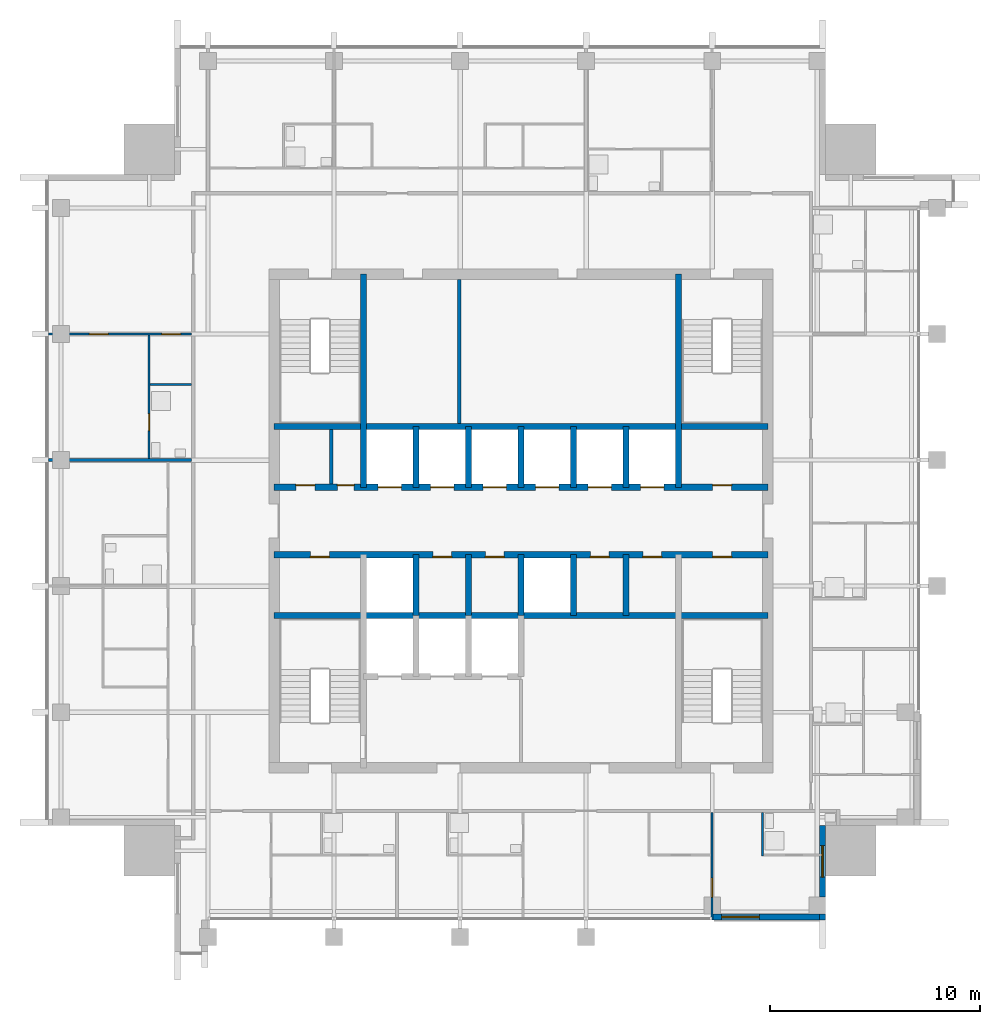
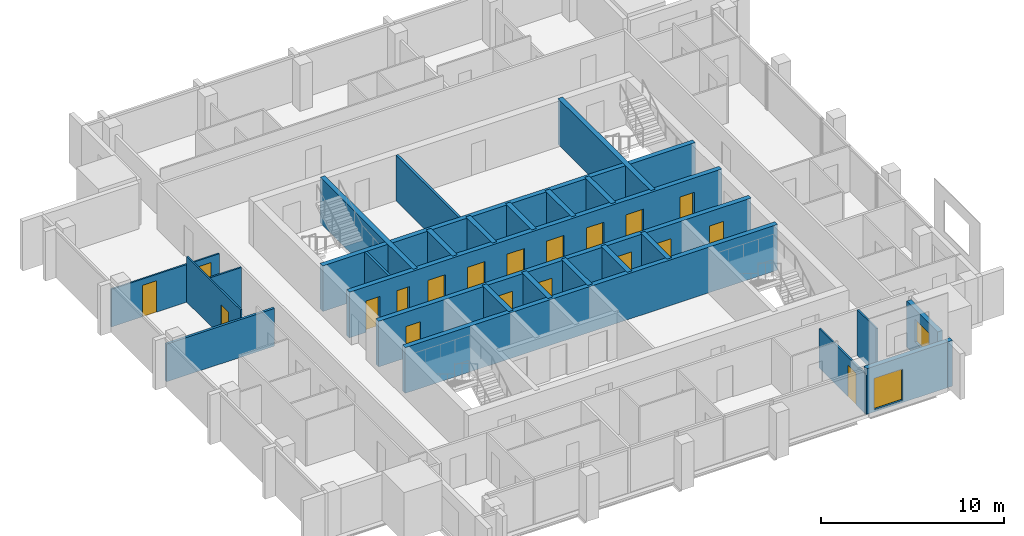
# One storey, part 8 of 13: 27 walls, 19 doors, 2 windows, 21 openings.
"""IFC4 building model written with IfcOpenShell, lengths in metres."""

from ifc_helpers import new_model, si_unit, direction, frame, frame_2d, origin, place, context, subcontext, project, spatial, rectangle, extrude, material, layer, layer_set, type_object, element, fill, save


model = new_model("IFC4")

# Units and contexts
model_context = context("Model", 3, precision=1e-05, world=origin(), true_north=direction((0.0, 1.0)))
body_context = subcontext(model_context, "Body", "Model", "MODEL_VIEW")
ifc_project = project(units=[si_unit("LENGTHUNIT", "METRE"), si_unit("AREAUNIT", "SQUARE_METRE"), si_unit("VOLUMEUNIT", "CUBIC_METRE"), si_unit("PLANEANGLEUNIT", "RADIAN"), si_unit("MASSUNIT", "GRAM", prefix="KILO")], contexts=[model_context])

# Site, building, storey
site_placement = place(None, origin())
site = spatial("IfcSite", under=ifc_project, at=site_placement, CompositionType="ELEMENT")
building_placement = place(site_placement, origin())
building = spatial("IfcBuilding", under=site, at=building_placement, Name="Amberfall Residences", CompositionType="ELEMENT")
storey_placement = place(building_placement, frame((0.0, 0.0, 271.89990234375)))
storey = spatial("IfcBuildingStorey", under=building, at=storey_placement, Name="L73", CompositionType="ELEMENT", Elevation=271.89990234375)

# Wall
ifc_material_1 = material(Name="Pale stone cladding on insulated backing", Category="masonry")
ifc_layer_1 = layer(ifc_material_1, 0.300048828125)
ifc_layer_set_1 = layer_set([ifc_layer_1], Name="Bronze clad wall 300")
wall_type_1 = type_object("IfcWallType", Name="Bronze clad wall 300", PredefinedType="SOLIDWALL", material=ifc_layer_set_1)
wall_1_placement = place(storey_placement, frame((88.85009765625, 26.5, 0.0), z_axis=(0.0, 0.0, 1.0), x_axis=(0.0, 1.0, 0.0)))
element("IfcWall", 1, at=wall_1_placement, inside=storey, type_object=wall_type_1, Name="External wall L73 SE", PredefinedType="SOLIDWALL", context=body_context, shape_type="SweptSolid", body=[
    extrude(rectangle(XDim=0.300048828125, YDim=0.300048828125, at=frame_2d((0.14990234375, 0.0))), origin(), (0.0, 0.0, 1.0), 3.050048828125),
])

# Wall, opening, window
wall_2_placement = place(storey_placement, frame((88.85009765625, 27.60009765625, 0.0), z_axis=(0.0, 0.0, 1.0), x_axis=(0.0, 1.0, 0.0)))
wall_2 = element("IfcWall", 2, at=wall_2_placement, inside=storey, type_object=wall_type_1, Name="External wall L73 SE", PredefinedType="SOLIDWALL", context=body_context, shape_type="SweptSolid", body=[
    extrude(rectangle(XDim=3.39990234375, YDim=0.300048828125, at=frame_2d((1.699951171875, 0.0))), origin(), (0.0, 0.0, 1.0), 3.050048828125),
])
opening_1_placement = place(wall_2_placement, frame((0.949951171875, 0.0, 0.89990234375)))
opening_1 = element("IfcOpeningElement", 3, at=opening_1_placement, cuts=wall_2, Name="Opening WN1", PredefinedType="OPENING", context=body_context, shape_type="SweptSolid", body=[
    extrude(rectangle(XDim=1.5, YDim=1.5, at=frame_2d((0.75, 0.75))), frame((0.0, 0.159912109375, 0.0), z_axis=(0.0, -1.0, 0.0), x_axis=(1.0, 0.0, 0.0)), (0.0, 0.0, 1.0), 0.320068359375),
])
ifc_material_2 = material(Name="Bronze aluminium framed glazing", Category="aluminium")
window_type_1 = type_object("IfcWindowType", Name="Window 1500 x 1500 bronze", PartitioningType="DOUBLE_PANEL_VERTICAL", PredefinedType="WINDOW", material=ifc_material_2)
window_1_placement = place(opening_1_placement, origin())
window_1 = element("IfcWindow", 4, at=window_1_placement, inside=storey, type_object=window_type_1, Name="Window L73 SE", OverallHeight=1.5, OverallWidth=1.5, PartitioningType="DOUBLE_PANEL_VERTICAL", PredefinedType="WINDOW", context=body_context, shape_type="SweptSolid", body=[
    extrude(rectangle(XDim=1.5, YDim=1.5, at=frame_2d((0.75, 0.75))), frame((0.0, 0.030029296875, 0.0), z_axis=(0.0, -1.0, 0.0), x_axis=(1.0, 0.0, 0.0)), (0.0, 0.0, 1.0), 0.06005859375),
])
fill(opening_1, window_1)

wall_3_placement = place(storey_placement, frame((83.60009765625, 26.64990234375, 0.0), z_axis=(0.0, 0.0, 1.0), x_axis=(1.0, 0.0, 0.0)))
wall_3 = element("IfcWall", 5, at=wall_3_placement, inside=storey, type_object=wall_type_1, Name="Stone wall L73 S", PredefinedType="SOLIDWALL", context=body_context, shape_type="SweptSolid", body=[
    extrude(rectangle(XDim=5.099853515625, YDim=0.300048828125, at=frame_2d((2.5498046875, 0.0))), origin(), (0.0, 0.0, 1.0), 3.050048828125),
])
opening_2_placement = place(wall_3_placement, frame((0.449951171875, 0.0, 0.14990234375)))
opening_2 = element("IfcOpeningElement", 6, at=opening_2_placement, cuts=wall_3, Name="Opening WN6", PredefinedType="OPENING", context=body_context, shape_type="SweptSolid", body=[
    extrude(rectangle(XDim=1.800048828125, YDim=2.10009765625, at=frame_2d((0.89990234375, 1.050048828125))), frame((0.0, 0.159912109375, 0.0), z_axis=(0.0, -1.0, 0.0), x_axis=(1.0, 0.0, 0.0)), (0.0, 0.0, 1.0), 0.320068359375),
])
window_type_2 = type_object("IfcWindowType", Name="Glazed opening 1800 x 2100 bronze", PartitioningType="DOUBLE_PANEL_VERTICAL", PredefinedType="WINDOW", material=ifc_material_2)
window_2_placement = place(opening_2_placement, origin())
window_2 = element("IfcWindow", 7, at=window_2_placement, inside=storey, type_object=window_type_2, Name="Window L73 S", OverallHeight=2.10009765625, OverallWidth=1.800048828125, PartitioningType="DOUBLE_PANEL_VERTICAL", PredefinedType="WINDOW", context=body_context, shape_type="SweptSolid", body=[
    extrude(rectangle(XDim=1.800048828125, YDim=2.10009765625, at=frame_2d((0.89990234375, 1.050048828125))), frame((0.0, 0.030029296875, 0.0), z_axis=(0.0, -1.0, 0.0), x_axis=(1.0, 0.0, 0.0)), (0.0, 0.0, 1.0), 0.06005859375),
])
fill(opening_2, window_2)

# Wall
ifc_material_3 = material(Name="Concrete C50", Category="concrete")
ifc_layer_2 = layer(ifc_material_3, 0.300048828125)
ifc_layer_set_2 = layer_set([ifc_layer_2], Name="Core wall 300 C50")
wall_type_2 = type_object("IfcWallType", Name="Core wall 300 C50", PredefinedType="SHEAR", material=ifc_layer_set_2)
wall_4_placement = place(storey_placement, frame((62.75, 41.0, 0.0), z_axis=(0.0, 0.0, 1.0), x_axis=(1.0, 0.0, 0.0)))
element("IfcWall", 8, at=wall_4_placement, inside=storey, type_object=wall_type_2, Name="Core wall RW10 L73 H75", PredefinedType="SHEAR", context=body_context, shape_type="SweptSolid", body=[
    extrude(rectangle(XDim=23.5, YDim=0.300048828125, at=frame_2d((11.75, 0.0))), origin(), (0.0, 0.0, 1.0), 3.050048828125),
])

# Wall, openings, doors
wall_5_placement = place(storey_placement, frame((62.75, 43.89990234375, 0.0), z_axis=(0.0, 0.0, 1.0), x_axis=(1.0, 0.0, 0.0)))
wall_5 = element("IfcWall", 9, at=wall_5_placement, inside=storey, type_object=wall_type_2, Name="Core wall RW10 L73 H104", PredefinedType="SHEAR", context=body_context, shape_type="SweptSolid", body=[
    extrude(rectangle(XDim=23.5, YDim=0.300048828125, at=frame_2d((11.75, 0.0))), origin(), (0.0, 0.0, 1.0), 3.050048828125),
])
opening_3_placement = place(wall_5_placement, frame((1.72509765625, 0.0, 0.0)))
opening_3 = element("IfcOpeningElement", 10, at=opening_3_placement, cuts=wall_5, Name="Opening RD1", PredefinedType="OPENING", context=body_context, shape_type="SweptSolid", body=[
    extrude(rectangle(XDim=0.89990234375, YDim=2.10009765625, at=frame_2d((0.449951171875, 1.050048828125))), frame((0.0, 0.159912109375, 0.0), z_axis=(0.0, -1.0, 0.0), x_axis=(1.0, 0.0, 0.0)), (0.0, 0.0, 1.0), 0.320068359375),
])
opening_4_placement = place(wall_5_placement, frame((20.875, 0.0, 0.0)))
opening_4 = element("IfcOpeningElement", 11, at=opening_4_placement, cuts=wall_5, Name="Opening RD1", PredefinedType="OPENING", context=body_context, shape_type="SweptSolid", body=[
    extrude(rectangle(XDim=0.89990234375, YDim=2.10009765625, at=frame_2d((0.449951171875, 1.050048828125))), frame((0.0, 0.159912109375, 0.0), z_axis=(0.0, -1.0, 0.0), x_axis=(1.0, 0.0, 0.0)), (0.0, 0.0, 1.0), 0.320068359375),
])
opening_5_placement = place(wall_5_placement, frame((7.550048828125, 0.0, 0.0)))
opening_5 = element("IfcOpeningElement", 12, at=opening_5_placement, cuts=wall_5, Name="Opening RD1", PredefinedType="OPENING", context=body_context, shape_type="SweptSolid", body=[
    extrude(rectangle(XDim=0.89990234375, YDim=2.10009765625, at=frame_2d((0.449951171875, 1.050048828125))), frame((0.0, 0.159912109375, 0.0), z_axis=(0.0, -1.0, 0.0), x_axis=(1.0, 0.0, 0.0)), (0.0, 0.0, 1.0), 0.320068359375),
])
opening_6_placement = place(wall_5_placement, frame((10.050048828125, 0.0, 0.0)))
opening_6 = element("IfcOpeningElement", 13, at=opening_6_placement, cuts=wall_5, Name="Opening RD1", PredefinedType="OPENING", context=body_context, shape_type="SweptSolid", body=[
    extrude(rectangle(XDim=0.89990234375, YDim=2.10009765625, at=frame_2d((0.449951171875, 1.050048828125))), frame((0.0, 0.159912109375, 0.0), z_axis=(0.0, -1.0, 0.0), x_axis=(1.0, 0.0, 0.0)), (0.0, 0.0, 1.0), 0.320068359375),
])
opening_7_placement = place(wall_5_placement, frame((15.050048828125, 0.0, 0.0)))
opening_7 = element("IfcOpeningElement", 14, at=opening_7_placement, cuts=wall_5, Name="Opening RD1", PredefinedType="OPENING", context=body_context, shape_type="SweptSolid", body=[
    extrude(rectangle(XDim=0.89990234375, YDim=2.10009765625, at=frame_2d((0.449951171875, 1.050048828125))), frame((0.0, 0.159912109375, 0.0), z_axis=(0.0, -1.0, 0.0), x_axis=(1.0, 0.0, 0.0)), (0.0, 0.0, 1.0), 0.320068359375),
])
opening_8_placement = place(wall_5_placement, frame((17.550048828125, 0.0, 0.0)))
opening_8 = element("IfcOpeningElement", 15, at=opening_8_placement, cuts=wall_5, Name="Opening RD1", PredefinedType="OPENING", context=body_context, shape_type="SweptSolid", body=[
    extrude(rectangle(XDim=0.89990234375, YDim=2.10009765625, at=frame_2d((0.449951171875, 1.050048828125))), frame((0.0, 0.159912109375, 0.0), z_axis=(0.0, -1.0, 0.0), x_axis=(1.0, 0.0, 0.0)), (0.0, 0.0, 1.0), 0.320068359375),
])
ifc_material_4 = material(Name="Steel fire door set", Category="steel")
door_type_1 = type_object("IfcDoorType", Name="Service room door 900 x 2100", OperationType="SINGLE_SWING_LEFT", PredefinedType="DOOR", material=ifc_material_4)
door_1_placement = place(opening_3_placement, origin())
door_1 = element("IfcDoor", 16, at=door_1_placement, inside=storey, type_object=door_type_1, Name="RD1 L73", OperationType="SINGLE_SWING_LEFT", OverallHeight=2.10009765625, OverallWidth=0.89990234375, PredefinedType="DOOR", context=body_context, shape_type="SweptSolid", body=[
    extrude(rectangle(XDim=0.89990234375, YDim=2.10009765625, at=frame_2d((0.449951171875, 1.050048828125))), frame((0.0, -0.08740234375, 0.0), z_axis=(0.0, -1.0, 0.0), x_axis=(1.0, 0.0, 0.0)), (0.0, 0.0, 1.0), 0.050048828125),
])
fill(opening_3, door_1)
door_2_placement = place(opening_4_placement, origin())
door_2 = element("IfcDoor", 17, at=door_2_placement, inside=storey, type_object=door_type_1, Name="RD1 L73", OperationType="SINGLE_SWING_LEFT", OverallHeight=2.10009765625, OverallWidth=0.89990234375, PredefinedType="DOOR", context=body_context, shape_type="SweptSolid", body=[
    extrude(rectangle(XDim=0.89990234375, YDim=2.10009765625, at=frame_2d((0.449951171875, 1.050048828125))), frame((0.0, -0.08740234375, 0.0), z_axis=(0.0, -1.0, 0.0), x_axis=(1.0, 0.0, 0.0)), (0.0, 0.0, 1.0), 0.050048828125),
])
fill(opening_4, door_2)
door_3_placement = place(opening_5_placement, origin())
door_3 = element("IfcDoor", 18, at=door_3_placement, inside=storey, type_object=door_type_1, Name="RD1 L73", OperationType="SINGLE_SWING_LEFT", OverallHeight=2.10009765625, OverallWidth=0.89990234375, PredefinedType="DOOR", context=body_context, shape_type="SweptSolid", body=[
    extrude(rectangle(XDim=0.89990234375, YDim=2.10009765625, at=frame_2d((0.449951171875, 1.050048828125))), frame((0.0, -0.08740234375, 0.0), z_axis=(0.0, -1.0, 0.0), x_axis=(1.0, 0.0, 0.0)), (0.0, 0.0, 1.0), 0.050048828125),
])
fill(opening_5, door_3)
door_4_placement = place(opening_6_placement, origin())
door_4 = element("IfcDoor", 19, at=door_4_placement, inside=storey, type_object=door_type_1, Name="RD1 L73", OperationType="SINGLE_SWING_RIGHT", OverallHeight=2.10009765625, OverallWidth=0.89990234375, PredefinedType="DOOR", context=body_context, shape_type="SweptSolid", body=[
    extrude(rectangle(XDim=0.89990234375, YDim=2.10009765625, at=frame_2d((0.449951171875, 1.050048828125))), frame((0.0, -0.08740234375, 0.0), z_axis=(0.0, -1.0, 0.0), x_axis=(1.0, 0.0, 0.0)), (0.0, 0.0, 1.0), 0.050048828125),
])
fill(opening_6, door_4)
door_5_placement = place(opening_7_placement, origin())
door_5 = element("IfcDoor", 20, at=door_5_placement, inside=storey, type_object=door_type_1, Name="RD1 L73", OperationType="SINGLE_SWING_RIGHT", OverallHeight=2.10009765625, OverallWidth=0.89990234375, PredefinedType="DOOR", context=body_context, shape_type="SweptSolid", body=[
    extrude(rectangle(XDim=0.89990234375, YDim=2.10009765625, at=frame_2d((0.449951171875, 1.050048828125))), frame((0.0, -0.08740234375, 0.0), z_axis=(0.0, -1.0, 0.0), x_axis=(1.0, 0.0, 0.0)), (0.0, 0.0, 1.0), 0.050048828125),
])
fill(opening_7, door_5)
door_6_placement = place(opening_8_placement, origin())
door_6 = element("IfcDoor", 21, at=door_6_placement, inside=storey, type_object=door_type_1, Name="RD1 L73", OperationType="SINGLE_SWING_LEFT", OverallHeight=2.10009765625, OverallWidth=0.89990234375, PredefinedType="DOOR", context=body_context, shape_type="SweptSolid", body=[
    extrude(rectangle(XDim=0.89990234375, YDim=2.10009765625, at=frame_2d((0.449951171875, 1.050048828125))), frame((0.0, -0.08740234375, 0.0), z_axis=(0.0, -1.0, 0.0), x_axis=(1.0, 0.0, 0.0)), (0.0, 0.0, 1.0), 0.050048828125),
])
fill(opening_8, door_6)

wall_6_placement = place(storey_placement, frame((62.75, 47.10009765625, 0.0), z_axis=(0.0, 0.0, 1.0), x_axis=(1.0, 0.0, 0.0)))
wall_6 = element("IfcWall", 22, at=wall_6_placement, inside=storey, type_object=wall_type_2, Name="Core wall RW10 L73 H136", PredefinedType="SHEAR", context=body_context, shape_type="SweptSolid", body=[
    extrude(rectangle(XDim=23.5, YDim=0.300048828125, at=frame_2d((11.75, 0.0))), origin(), (0.0, 0.0, 1.0), 3.050048828125),
])
opening_9_placement = place(wall_6_placement, frame((1.031982421875, 0.0, 0.0)))
opening_9 = element("IfcOpeningElement", 23, at=opening_9_placement, cuts=wall_6, Name="Opening RD1", PredefinedType="OPENING", context=body_context, shape_type="SweptSolid", body=[
    extrude(rectangle(XDim=0.89990234375, YDim=2.10009765625, at=frame_2d((0.449951171875, 1.050048828125))), frame((0.0, 0.159912109375, 0.0), z_axis=(0.0, -1.0, 0.0), x_axis=(1.0, 0.0, 0.0)), (0.0, 0.0, 1.0), 0.320068359375),
])
opening_10_placement = place(wall_6_placement, frame((3.007080078125, 0.0, 0.0)))
opening_10 = element("IfcOpeningElement", 24, at=opening_10_placement, cuts=wall_6, Name="Opening RD2", PredefinedType="OPENING", context=body_context, shape_type="SweptSolid", body=[
    extrude(rectangle(XDim=0.800048828125, YDim=2.10009765625, at=frame_2d((0.39990234375, 1.050048828125))), frame((0.0, 0.159912109375, 0.0), z_axis=(0.0, -1.0, 0.0), x_axis=(1.0, 0.0, 0.0)), (0.0, 0.0, 1.0), 0.320068359375),
])
opening_11_placement = place(wall_6_placement, frame((20.875, 0.0, 0.0)))
opening_11 = element("IfcOpeningElement", 25, at=opening_11_placement, cuts=wall_6, Name="Opening RD1", PredefinedType="OPENING", context=body_context, shape_type="SweptSolid", body=[
    extrude(rectangle(XDim=0.89990234375, YDim=2.10009765625, at=frame_2d((0.449951171875, 1.050048828125))), frame((0.0, 0.159912109375, 0.0), z_axis=(0.0, -1.0, 0.0), x_axis=(1.0, 0.0, 0.0)), (0.0, 0.0, 1.0), 0.320068359375),
])
opening_12_placement = place(wall_6_placement, frame((4.949951171875, 0.0, 0.0)))
opening_12 = element("IfcOpeningElement", 26, at=opening_12_placement, cuts=wall_6, Name="Opening LD1", PredefinedType="OPENING", context=body_context, shape_type="SweptSolid", body=[
    extrude(rectangle(XDim=1.10009765625, YDim=2.10009765625, at=frame_2d((0.550048828125, 1.050048828125))), frame((0.0, 0.159912109375, 0.0), z_axis=(0.0, -1.0, 0.0), x_axis=(1.0, 0.0, 0.0)), (0.0, 0.0, 1.0), 0.320068359375),
])
opening_13_placement = place(wall_6_placement, frame((7.449951171875, 0.0, 0.0)))
opening_13 = element("IfcOpeningElement", 27, at=opening_13_placement, cuts=wall_6, Name="Opening LD1", PredefinedType="OPENING", context=body_context, shape_type="SweptSolid", body=[
    extrude(rectangle(XDim=1.10009765625, YDim=2.10009765625, at=frame_2d((0.550048828125, 1.050048828125))), frame((0.0, 0.159912109375, 0.0), z_axis=(0.0, -1.0, 0.0), x_axis=(1.0, 0.0, 0.0)), (0.0, 0.0, 1.0), 0.320068359375),
])
opening_14_placement = place(wall_6_placement, frame((9.949951171875, 0.0, 0.0)))
opening_14 = element("IfcOpeningElement", 28, at=opening_14_placement, cuts=wall_6, Name="Opening LD1", PredefinedType="OPENING", context=body_context, shape_type="SweptSolid", body=[
    extrude(rectangle(XDim=1.10009765625, YDim=2.10009765625, at=frame_2d((0.550048828125, 1.050048828125))), frame((0.0, 0.159912109375, 0.0), z_axis=(0.0, -1.0, 0.0), x_axis=(1.0, 0.0, 0.0)), (0.0, 0.0, 1.0), 0.320068359375),
])
opening_15_placement = place(wall_6_placement, frame((12.449951171875, 0.0, 0.0)))
opening_15 = element("IfcOpeningElement", 29, at=opening_15_placement, cuts=wall_6, Name="Opening LD1", PredefinedType="OPENING", context=body_context, shape_type="SweptSolid", body=[
    extrude(rectangle(XDim=1.10009765625, YDim=2.10009765625, at=frame_2d((0.550048828125, 1.050048828125))), frame((0.0, 0.159912109375, 0.0), z_axis=(0.0, -1.0, 0.0), x_axis=(1.0, 0.0, 0.0)), (0.0, 0.0, 1.0), 0.320068359375),
])
opening_16_placement = place(wall_6_placement, frame((14.949951171875, 0.0, 0.0)))
opening_16 = element("IfcOpeningElement", 30, at=opening_16_placement, cuts=wall_6, Name="Opening LD1", PredefinedType="OPENING", context=body_context, shape_type="SweptSolid", body=[
    extrude(rectangle(XDim=1.10009765625, YDim=2.10009765625, at=frame_2d((0.550048828125, 1.050048828125))), frame((0.0, 0.159912109375, 0.0), z_axis=(0.0, -1.0, 0.0), x_axis=(1.0, 0.0, 0.0)), (0.0, 0.0, 1.0), 0.320068359375),
])
opening_17_placement = place(wall_6_placement, frame((17.449951171875, 0.0, 0.0)))
opening_17 = element("IfcOpeningElement", 31, at=opening_17_placement, cuts=wall_6, Name="Opening LD1", PredefinedType="OPENING", context=body_context, shape_type="SweptSolid", body=[
    extrude(rectangle(XDim=1.10009765625, YDim=2.10009765625, at=frame_2d((0.550048828125, 1.050048828125))), frame((0.0, 0.159912109375, 0.0), z_axis=(0.0, -1.0, 0.0), x_axis=(1.0, 0.0, 0.0)), (0.0, 0.0, 1.0), 0.320068359375),
])
door_type_2 = type_object("IfcDoorType", Name="Lift landing door 1100 x 2100", OperationType="DOUBLE_DOOR_SLIDING", PredefinedType="DOOR", material=ifc_material_4)
door_7_placement = place(opening_12_placement, origin())
door_7 = element("IfcDoor", 32, at=door_7_placement, inside=storey, type_object=door_type_2, Name="Landing door HP1 L73", OperationType="DOUBLE_DOOR_SLIDING", OverallHeight=2.10009765625, OverallWidth=1.10009765625, PredefinedType="DOOR", context=body_context, shape_type="SweptSolid", body=[
    extrude(rectangle(XDim=1.10009765625, YDim=2.10009765625, at=frame_2d((0.550048828125, 1.050048828125))), frame((0.0, 0.02490234375, 0.0), z_axis=(0.0, -1.0, 0.0), x_axis=(1.0, 0.0, 0.0)), (0.0, 0.0, 1.0), 0.050048828125),
])
fill(opening_12, door_7)
door_8_placement = place(opening_13_placement, origin())
door_8 = element("IfcDoor", 33, at=door_8_placement, inside=storey, type_object=door_type_2, Name="Landing door HP2 L73", OperationType="DOUBLE_DOOR_SLIDING", OverallHeight=2.10009765625, OverallWidth=1.10009765625, PredefinedType="DOOR", context=body_context, shape_type="SweptSolid", body=[
    extrude(rectangle(XDim=1.10009765625, YDim=2.10009765625, at=frame_2d((0.550048828125, 1.050048828125))), frame((0.0, 0.02490234375, 0.0), z_axis=(0.0, -1.0, 0.0), x_axis=(1.0, 0.0, 0.0)), (0.0, 0.0, 1.0), 0.050048828125),
])
fill(opening_13, door_8)
door_9_placement = place(opening_14_placement, origin())
door_9 = element("IfcDoor", 34, at=door_9_placement, inside=storey, type_object=door_type_2, Name="Landing door HP3 L73", OperationType="DOUBLE_DOOR_SLIDING", OverallHeight=2.10009765625, OverallWidth=1.10009765625, PredefinedType="DOOR", context=body_context, shape_type="SweptSolid", body=[
    extrude(rectangle(XDim=1.10009765625, YDim=2.10009765625, at=frame_2d((0.550048828125, 1.050048828125))), frame((0.0, 0.02490234375, 0.0), z_axis=(0.0, -1.0, 0.0), x_axis=(1.0, 0.0, 0.0)), (0.0, 0.0, 1.0), 0.050048828125),
])
fill(opening_14, door_9)
door_10_placement = place(opening_15_placement, origin())
door_10 = element("IfcDoor", 35, at=door_10_placement, inside=storey, type_object=door_type_2, Name="Landing door HP4 L73", OperationType="DOUBLE_DOOR_SLIDING", OverallHeight=2.10009765625, OverallWidth=1.10009765625, PredefinedType="DOOR", context=body_context, shape_type="SweptSolid", body=[
    extrude(rectangle(XDim=1.10009765625, YDim=2.10009765625, at=frame_2d((0.550048828125, 1.050048828125))), frame((0.0, 0.02490234375, 0.0), z_axis=(0.0, -1.0, 0.0), x_axis=(1.0, 0.0, 0.0)), (0.0, 0.0, 1.0), 0.050048828125),
])
fill(opening_15, door_10)
door_11_placement = place(opening_16_placement, origin())
door_11 = element("IfcDoor", 36, at=door_11_placement, inside=storey, type_object=door_type_2, Name="Landing door HP5 L73", OperationType="DOUBLE_DOOR_SLIDING", OverallHeight=2.10009765625, OverallWidth=1.10009765625, PredefinedType="DOOR", context=body_context, shape_type="SweptSolid", body=[
    extrude(rectangle(XDim=1.10009765625, YDim=2.10009765625, at=frame_2d((0.550048828125, 1.050048828125))), frame((0.0, 0.02490234375, 0.0), z_axis=(0.0, -1.0, 0.0), x_axis=(1.0, 0.0, 0.0)), (0.0, 0.0, 1.0), 0.050048828125),
])
fill(opening_16, door_11)
door_12_placement = place(opening_17_placement, origin())
door_12 = element("IfcDoor", 37, at=door_12_placement, inside=storey, type_object=door_type_2, Name="Landing door HP6 L73", OperationType="DOUBLE_DOOR_SLIDING", OverallHeight=2.10009765625, OverallWidth=1.10009765625, PredefinedType="DOOR", context=body_context, shape_type="SweptSolid", body=[
    extrude(rectangle(XDim=1.10009765625, YDim=2.10009765625, at=frame_2d((0.550048828125, 1.050048828125))), frame((0.0, 0.02490234375, 0.0), z_axis=(0.0, -1.0, 0.0), x_axis=(1.0, 0.0, 0.0)), (0.0, 0.0, 1.0), 0.050048828125),
])
fill(opening_17, door_12)
door_type_3 = type_object("IfcDoorType", Name="Service room door 800 x 2100", OperationType="SINGLE_SWING_LEFT", PredefinedType="DOOR", material=ifc_material_4)
door_13_placement = place(opening_10_placement, origin())
door_13 = element("IfcDoor", 38, at=door_13_placement, inside=storey, type_object=door_type_3, Name="RD2 L73", OperationType="SINGLE_SWING_RIGHT", OverallHeight=2.10009765625, OverallWidth=0.800048828125, PredefinedType="DOOR", context=body_context, shape_type="SweptSolid", body=[
    extrude(rectangle(XDim=0.800048828125, YDim=2.10009765625, at=frame_2d((0.39990234375, 1.050048828125))), frame((0.0, 0.1376953125, 0.0), z_axis=(0.0, -1.0, 0.0), x_axis=(1.0, 0.0, 0.0)), (0.0, 0.0, 1.0), 0.050048828125),
])
fill(opening_10, door_13)
door_14_placement = place(opening_9_placement, origin())
door_14 = element("IfcDoor", 39, at=door_14_placement, inside=storey, type_object=door_type_1, Name="RD1 L73", OperationType="SINGLE_SWING_LEFT", OverallHeight=2.10009765625, OverallWidth=0.89990234375, PredefinedType="DOOR", context=body_context, shape_type="SweptSolid", body=[
    extrude(rectangle(XDim=0.89990234375, YDim=2.10009765625, at=frame_2d((0.449951171875, 1.050048828125))), frame((0.0, 0.1376953125, 0.0), z_axis=(0.0, -1.0, 0.0), x_axis=(1.0, 0.0, 0.0)), (0.0, 0.0, 1.0), 0.050048828125),
])
fill(opening_9, door_14)
door_15_placement = place(opening_11_placement, origin())
door_15 = element("IfcDoor", 40, at=door_15_placement, inside=storey, type_object=door_type_1, Name="RD1 L73", OperationType="SINGLE_SWING_LEFT", OverallHeight=2.10009765625, OverallWidth=0.89990234375, PredefinedType="DOOR", context=body_context, shape_type="SweptSolid", body=[
    extrude(rectangle(XDim=0.89990234375, YDim=2.10009765625, at=frame_2d((0.449951171875, 1.050048828125))), frame((0.0, 0.1376953125, 0.0), z_axis=(0.0, -1.0, 0.0), x_axis=(1.0, 0.0, 0.0)), (0.0, 0.0, 1.0), 0.050048828125),
])
fill(opening_11, door_15)

# Walls
wall_7_placement = place(storey_placement, frame((62.75, 50.0, 0.0), z_axis=(0.0, 0.0, 1.0), x_axis=(1.0, 0.0, 0.0)))
element("IfcWall", 41, at=wall_7_placement, inside=storey, type_object=wall_type_2, Name="Core wall RW10 L73 H165", PredefinedType="SHEAR", context=body_context, shape_type="SweptSolid", body=[
    extrude(rectangle(XDim=23.5, YDim=0.300048828125, at=frame_2d((11.75, 0.0))), origin(), (0.0, 0.0, 1.0), 3.050048828125),
])
for number, where, z_axis, x_axis, name in (
    (42, (67.0, 47.10009765625, 0.0), (0.0, 0.0, 1.0), (0.0, 1.0, 0.0), "Core wall RW10 L73 V45N"),
    (43, (82.0, 47.10009765625, 0.0), (0.0, 0.0, 1.0), (0.0, 1.0, 0.0), "Core wall RW10 L73 V195N"),
):
    element("IfcWall", number, at=place(storey_placement, frame(where, z_axis=z_axis, x_axis=x_axis)), inside=storey, type_object=wall_type_2, Name=name, PredefinedType="SHEAR", context=body_context, shape_type="SweptSolid", body=[
        extrude(rectangle(XDim=10.14990234375, YDim=0.300048828125, at=frame_2d((5.074951171875, 0.0))), origin(), (0.0, 0.0, 1.0), 3.050048828125),
    ])
for number, where, z_axis, x_axis, name in (
    (44, (69.5, 41.0, 0.0), (0.0, 0.0, 1.0), (0.0, 1.0, 0.0), "Core wall RW10 L73 LPD1"),
    (45, (69.5, 47.10009765625, 0.0), (0.0, 0.0, 1.0), (0.0, 1.0, 0.0), "Core wall RW10 L73 HPD1"),
    (46, (72.0, 41.0, 0.0), (0.0, 0.0, 1.0), (0.0, 1.0, 0.0), "Core wall RW10 L73 LPD2"),
    (47, (72.0, 47.10009765625, 0.0), (0.0, 0.0, 1.0), (0.0, 1.0, 0.0), "Core wall RW10 L73 HPD2"),
    (48, (74.5, 41.0, 0.0), (0.0, 0.0, 1.0), (0.0, 1.0, 0.0), "Core wall RW10 L73 LPD3"),
    (49, (74.5, 47.10009765625, 0.0), (0.0, 0.0, 1.0), (0.0, 1.0, 0.0), "Core wall RW10 L73 HPD3"),
    (50, (77.0, 41.0, 0.0), (0.0, 0.0, 1.0), (0.0, 1.0, 0.0), "Core wall RW10 L73 LPD4"),
    (51, (77.0, 47.10009765625, 0.0), (0.0, 0.0, 1.0), (0.0, 1.0, 0.0), "Core wall RW10 L73 HPD4"),
    (52, (79.5, 41.0, 0.0), (0.0, 0.0, 1.0), (0.0, 1.0, 0.0), "Core wall RW10 L73 LPD5"),
    (53, (79.5, 47.10009765625, 0.0), (0.0, 0.0, 1.0), (0.0, 1.0, 0.0), "Core wall RW10 L73 HPD5"),
):
    element("IfcWall", number, at=place(storey_placement, frame(where, z_axis=z_axis, x_axis=x_axis)), inside=storey, type_object=wall_type_2, Name=name, PredefinedType="SHEAR", context=body_context, shape_type="SweptSolid", body=[
        extrude(rectangle(XDim=2.89990234375, YDim=0.300048828125, at=frame_2d((1.449951171875, 0.0))), origin(), (0.0, 0.0, 1.0), 3.050048828125),
    ])

# Wall, opening, door
ifc_material_5 = material(Name="Gypsum board on metal stud")
ifc_layer_3 = layer(ifc_material_5, 0.10009765625)
ifc_layer_set_3 = layer_set([ifc_layer_3], Name="Flat partition 100")
wall_type_3 = type_object("IfcWallType", Name="Flat partition 100", PredefinedType="PARTITIONING", material=ifc_layer_set_3)
wall_8_placement = place(storey_placement, frame((56.800048828125, 54.35009765625, 0.0), z_axis=(0.0, 0.0, 1.0), x_axis=(0.0, -1.0, 0.0)))
wall_8 = element("IfcWall", 54, at=wall_8_placement, inside=storey, type_object=wall_type_3, Name="Partition 002", PredefinedType="PARTITIONING", context=body_context, shape_type="SweptSolid", body=[
    extrude(rectangle(XDim=5.875, YDim=0.10009765625, at=frame_2d((2.9375, 0.0))), origin(), (0.0, 0.0, 1.0), 3.050048828125),
])
opening_18_placement = place(wall_8_placement, frame((3.75, 0.0, 0.0)))
opening_18 = element("IfcOpeningElement", 55, at=opening_18_placement, cuts=wall_8, Name="Opening D42", PredefinedType="OPENING", context=body_context, shape_type="SweptSolid", body=[
    extrude(rectangle(XDim=0.800048828125, YDim=2.10009765625, at=frame_2d((0.39990234375, 1.050048828125))), frame((0.0, 0.06005859375, 0.0), z_axis=(0.0, -1.0, 0.0), x_axis=(1.0, 0.0, 0.0)), (0.0, 0.0, 1.0), 0.1201171875),
])
ifc_material_6 = material(Name="Timber", Category="wood")
door_type_4 = type_object("IfcDoorType", Name="Bathroom door 800 x 2100", OperationType="SINGLE_SWING_LEFT", PredefinedType="DOOR", material=ifc_material_6)
door_16_placement = place(opening_18_placement, origin())
door_16 = element("IfcDoor", 56, at=door_16_placement, inside=storey, type_object=door_type_4, Name="Door 7308 bath1", OperationType="SINGLE_SWING_LEFT", OverallHeight=2.10009765625, OverallWidth=0.800048828125, PredefinedType="DOOR", context=body_context, shape_type="SweptSolid", body=[
    extrude(rectangle(XDim=0.800048828125, YDim=2.10009765625, at=frame_2d((0.39990234375, 1.050048828125))), frame((0.0, 0.02490234375, 0.0), z_axis=(0.0, -1.0, 0.0), x_axis=(1.0, 0.0, 0.0)), (0.0, 0.0, 1.0), 0.050048828125),
])
fill(opening_18, door_16)

wall_9_placement = place(storey_placement, frame((83.60009765625, 31.625, 0.0), z_axis=(0.0, 0.0, 1.0), x_axis=(0.0, -1.0, 0.0)))
wall_9 = element("IfcWall", 57, at=wall_9_placement, inside=storey, type_object=wall_type_3, Name="Partition 015", PredefinedType="PARTITIONING", context=body_context, shape_type="SweptSolid", body=[
    extrude(rectangle(XDim=5.125, YDim=0.10009765625, at=frame_2d((2.5625, 0.0))), origin(), (0.0, 0.0, 1.0), 2.647216796875),
])
opening_19_placement = place(wall_9_placement, frame((3.125, 0.0, 0.0)))
opening_19 = element("IfcOpeningElement", 58, at=opening_19_placement, cuts=wall_9, Name="Opening D41", PredefinedType="OPENING", context=body_context, shape_type="SweptSolid", body=[
    extrude(rectangle(XDim=0.89990234375, YDim=2.10009765625, at=frame_2d((0.449951171875, 1.050048828125))), frame((0.0, 0.06005859375, 0.0), z_axis=(0.0, -1.0, 0.0), x_axis=(1.0, 0.0, 0.0)), (0.0, 0.0, 1.0), 0.1201171875),
])
door_type_5 = type_object("IfcDoorType", Name="Internal door 900 x 2100", OperationType="SINGLE_SWING_LEFT", PredefinedType="DOOR", material=ifc_material_6)
door_17_placement = place(opening_19_placement, origin())
door_17 = element("IfcDoor", 59, at=door_17_placement, inside=storey, type_object=door_type_5, Name="Door 7302 bedroom2", OperationType="SINGLE_SWING_LEFT", OverallHeight=2.10009765625, OverallWidth=0.89990234375, PredefinedType="DOOR", context=body_context, shape_type="SweptSolid", body=[
    extrude(rectangle(XDim=0.89990234375, YDim=2.10009765625, at=frame_2d((0.449951171875, 1.050048828125))), frame((0.0, 0.02490234375, 0.0), z_axis=(0.0, -1.0, 0.0), x_axis=(1.0, 0.0, 0.0)), (0.0, 0.0, 1.0), 0.050048828125),
])
fill(opening_19, door_17)

# Wall
wall_10_placement = place(storey_placement, frame((86.0, 29.550048828125, 0.0), z_axis=(0.0, 0.0, 1.0), x_axis=(0.0, 1.0, 0.0)))
element("IfcWall", 60, at=wall_10_placement, inside=storey, type_object=wall_type_3, Name="Partition 017", PredefinedType="PARTITIONING", context=body_context, shape_type="SweptSolid", body=[
    extrude(rectangle(XDim=2.074951171875, YDim=0.10009765625, at=frame_2d((1.03759765625, 0.0))), origin(), (0.0, 0.0, 1.0), 3.050048828125),
])

# Wall, openings, doors
wall_11_placement = place(storey_placement, frame((58.824951171875, 54.39990234375, 0.0), z_axis=(0.0, 0.0, 1.0), x_axis=(-1.0, 0.0, 0.0)))
wall_11 = element("IfcWall", 61, at=wall_11_placement, inside=storey, type_object=wall_type_3, Name="Partition 026", PredefinedType="PARTITIONING", context=body_context, shape_type="SweptSolid", body=[
    extrude(rectangle(XDim=6.824951171875, YDim=0.10009765625, at=frame_2d((3.41259765625, 0.0))), origin(), (0.0, 0.0, 1.0), 2.51611328125),
])
opening_20_placement = place(wall_11_placement, frame((0.52490234375, 0.0, 0.0)))
opening_20 = element("IfcOpeningElement", 62, at=opening_20_placement, cuts=wall_11, Name="Opening D41", PredefinedType="OPENING", context=body_context, shape_type="SweptSolid", body=[
    extrude(rectangle(XDim=0.89990234375, YDim=2.10009765625, at=frame_2d((0.449951171875, 1.050048828125))), frame((0.0, 0.06005859375, 0.0), z_axis=(0.0, -1.0, 0.0), x_axis=(1.0, 0.0, 0.0)), (0.0, 0.0, 1.0), 0.1201171875),
])
opening_21_placement = place(wall_11_placement, frame((3.97509765625, 0.0, 0.0)))
opening_21 = element("IfcOpeningElement", 63, at=opening_21_placement, cuts=wall_11, Name="Opening D41", PredefinedType="OPENING", context=body_context, shape_type="SweptSolid", body=[
    extrude(rectangle(XDim=0.89990234375, YDim=2.10009765625, at=frame_2d((0.449951171875, 1.050048828125))), frame((0.0, 0.06005859375, 0.0), z_axis=(0.0, -1.0, 0.0), x_axis=(1.0, 0.0, 0.0)), (0.0, 0.0, 1.0), 0.1201171875),
])
door_18_placement = place(opening_20_placement, origin())
door_18 = element("IfcDoor", 64, at=door_18_placement, inside=storey, type_object=door_type_5, Name="Door 7308 kitchen", OperationType="SINGLE_SWING_LEFT", OverallHeight=2.10009765625, OverallWidth=0.89990234375, PredefinedType="DOOR", context=body_context, shape_type="SweptSolid", body=[
    extrude(rectangle(XDim=0.89990234375, YDim=2.10009765625, at=frame_2d((0.449951171875, 1.050048828125))), frame((0.0, 0.02490234375, 0.0), z_axis=(0.0, -1.0, 0.0), x_axis=(1.0, 0.0, 0.0)), (0.0, 0.0, 1.0), 0.050048828125),
])
fill(opening_20, door_18)
door_19_placement = place(opening_21_placement, origin())
door_19 = element("IfcDoor", 65, at=door_19_placement, inside=storey, type_object=door_type_5, Name="Door 7308 bedroom1", OperationType="SINGLE_SWING_LEFT", OverallHeight=2.10009765625, OverallWidth=0.89990234375, PredefinedType="DOOR", context=body_context, shape_type="SweptSolid", body=[
    extrude(rectangle(XDim=0.89990234375, YDim=2.10009765625, at=frame_2d((0.449951171875, 1.050048828125))), frame((0.0, 0.02490234375, 0.0), z_axis=(0.0, -1.0, 0.0), x_axis=(1.0, 0.0, 0.0)), (0.0, 0.0, 1.0), 0.050048828125),
])
fill(opening_21, door_19)

# Walls
wall_12_placement = place(storey_placement, frame((56.85009765625, 52.0, 0.0), z_axis=(0.0, 0.0, 1.0), x_axis=(1.0, 0.0, 0.0)))
element("IfcWall", 66, at=wall_12_placement, inside=storey, type_object=wall_type_3, Name="Partition 028", PredefinedType="PARTITIONING", context=body_context, shape_type="SweptSolid", body=[
    extrude(rectangle(XDim=1.974853515625, YDim=0.10009765625, at=frame_2d((0.9873046875, 0.0))), origin(), (0.0, 0.0, 1.0), 3.050048828125),
])
ifc_material_7 = material(Name="Blockwork, plastered", Category="masonry")
ifc_layer_4 = layer(ifc_material_7, 0.14990234375)
ifc_layer_set_4 = layer_set([ifc_layer_4], Name="Flat separating wall 150")
wall_type_4 = type_object("IfcWallType", Name="Flat separating wall 150", PredefinedType="PARTITIONING", material=ifc_layer_set_4)
wall_13_placement = place(storey_placement, frame((52.0, 48.39990234375, 0.0), z_axis=(0.0, 0.0, 1.0), x_axis=(1.0, 0.0, 0.0)))
element("IfcWall", 67, at=wall_13_placement, inside=storey, type_object=wall_type_4, Name="Separating wall 050", PredefinedType="PARTITIONING", context=body_context, shape_type="SweptSolid", body=[
    extrude(rectangle(XDim=6.824951171875, YDim=0.14990234375, at=frame_2d((3.41259765625, 0.0))), origin(), (0.0, 0.0, 1.0), 2.51611328125),
])
ifc_material_8 = material(Name="Concrete blockwork", Category="masonry")
ifc_layer_5 = layer(ifc_material_8, 0.14990234375)
ifc_layer_set_5 = layer_set([ifc_layer_5], Name="Riser wall 150")
wall_type_5 = type_object("IfcWallType", Name="Riser wall 150", PredefinedType="PLUMBINGWALL", material=ifc_layer_set_5)
wall_14_placement = place(storey_placement, frame((65.464111328125, 47.25, 0.0), z_axis=(0.0, 0.0, 1.0), x_axis=(0.0, 1.0, 0.0)))
element("IfcWall", 68, at=wall_14_placement, inside=storey, type_object=wall_type_5, Name="L73 core wall ANW0", PredefinedType="PLUMBINGWALL", context=body_context, shape_type="SweptSolid", body=[
    extrude(rectangle(XDim=2.60009765625, YDim=0.14990234375, at=frame_2d((1.300048828125, 0.0))), origin(), (0.0, 0.0, 1.0), 3.050048828125),
])
wall_15_placement = place(storey_placement, frame((71.56005859375, 50.14990234375, 0.0), z_axis=(0.0, 0.0, 1.0), x_axis=(0.0, 1.0, 0.0)))
element("IfcWall", 69, at=wall_15_placement, inside=storey, type_object=wall_type_5, Name="L73 core wall N0", PredefinedType="PLUMBINGWALL", context=body_context, shape_type="SweptSolid", body=[
    extrude(rectangle(XDim=6.85009765625, YDim=0.14990234375, at=frame_2d((3.425048828125, 0.0))), origin(), (0.0, 0.0, 1.0), 3.050048828125),
])

save(model, "model.ifc")
